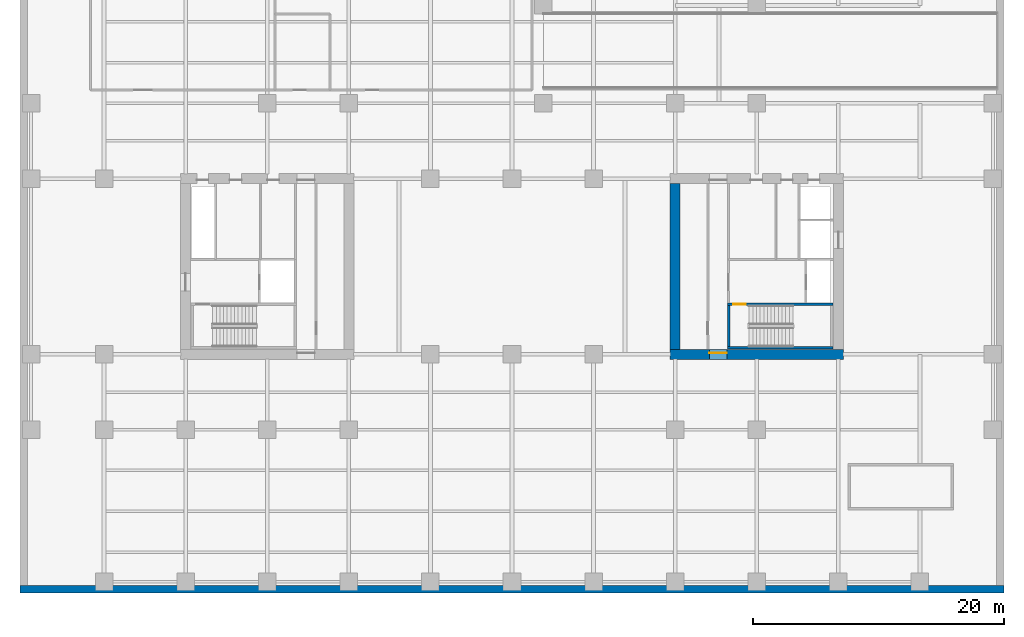
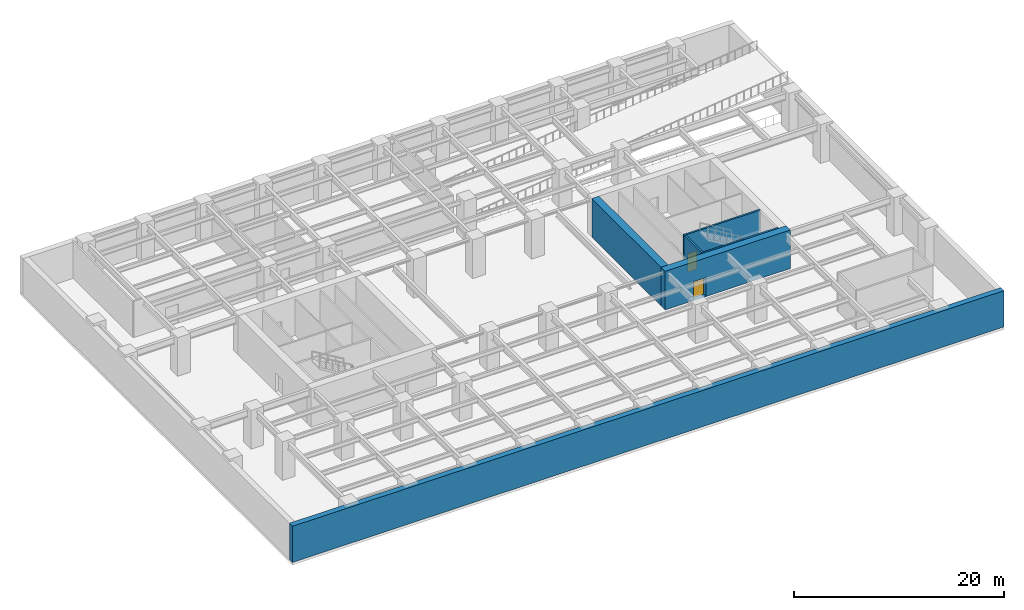
# One storey, part 5 of 10: 6 walls, 2 doors, 2 openings.
"""IFC4 building model written with IfcOpenShell, lengths in metres."""

from ifc_helpers import new_model, si_unit, direction, frame, frame_2d, origin, place, context, subcontext, project, spatial, rectangle, extrude, material, layer, layer_set, type_object, element, fill, save


model = new_model("IFC4")

# Units and contexts
model_context = context("Model", 3, precision=1e-05, world=origin(), true_north=direction((0.0, 1.0)))
body_context = subcontext(model_context, "Body", "Model", "MODEL_VIEW")
ifc_project = project(units=[si_unit("LENGTHUNIT", "METRE"), si_unit("AREAUNIT", "SQUARE_METRE"), si_unit("VOLUMEUNIT", "CUBIC_METRE"), si_unit("PLANEANGLEUNIT", "RADIAN"), si_unit("MASSUNIT", "GRAM", prefix="KILO")], contexts=[model_context])

# Site, building, storey
site_placement = place(None, origin())
site = spatial("IfcSite", under=ifc_project, at=site_placement, CompositionType="ELEMENT")
building_placement = place(site_placement, origin())
building = spatial("IfcBuilding", under=site, at=building_placement, Name="Putna Gate Headquarters", CompositionType="ELEMENT")
storey_placement = place(building_placement, frame((0.0, 0.0, -4.5)))
storey = spatial("IfcBuildingStorey", under=building, at=storey_placement, Name="B01", CompositionType="ELEMENT", Elevation=-4.5)

# Wall, opening, door
ifc_material_1 = material(Name="Concrete C60/75", Category="concrete")
ifc_layer_1 = layer(ifc_material_1, 0.800048828125)
ifc_layer_set_1 = layer_set([ifc_layer_1], Name="Concrete C60/75")
wall_type_1 = type_object("IfcWallType", Name="WALL-CORE-800", PredefinedType="SHEAR", material=ifc_layer_set_1)
wall_1_placement = place(storey_placement, frame((51.60009765625, 19.0, 0.0), z_axis=(0.0, 0.0, 1.0), x_axis=(1.0, 0.0, 0.0)))
wall_1 = element("IfcWall", 1, at=wall_1_placement, inside=storey, type_object=wall_type_1, Name="B01 EC Split Core Shear Wall S", PredefinedType="SHEAR", context=body_context, shape_type="SweptSolid", body=[
    extrude(rectangle(XDim=13.7998046875, YDim=0.800048828125, at=frame_2d((6.89990234375, 0.0))), origin(), (0.0, 0.0, 1.0), 4.5),
])
opening_1_placement = place(wall_1_placement, frame((3.1201171875, 0.0, 0.0)))
opening_1 = element("IfcOpeningElement", 2, at=opening_1_placement, cuts=wall_1, Name="Opening FDD-140", PredefinedType="OPENING", context=body_context, shape_type="SweptSolid", body=[
    extrude(rectangle(XDim=1.39990234375, YDim=2.199951171875, at=frame_2d((0.699951171875, 1.10009765625))), frame((0.0, 0.409912109375, 0.0), z_axis=(0.0, -1.0, 0.0), x_axis=(1.0, 0.0, 0.0)), (0.0, 0.0, 1.0), 0.820068359375),
])
ifc_material_2 = material(Name="Double steel fire door", Category="steel")
door_type_1 = type_object("IfcDoorType", Name="DOOR-FIRE-DBL-1400", OperationType="DOUBLE_DOOR_SINGLE_SWING", PredefinedType="DOOR", material=ifc_material_2)
door_1_placement = place(opening_1_placement, origin())
door_1 = element("IfcDoor", 3, at=door_1_placement, inside=storey, type_object=door_type_1, Name="B01 East Lift Lobby South Door", OperationType="DOUBLE_DOOR_SINGLE_SWING", OverallHeight=2.199951171875, OverallWidth=1.39990234375, PredefinedType="DOOR", context=body_context, shape_type="SweptSolid", body=[
    extrude(rectangle(XDim=1.39990234375, YDim=2.199951171875, at=frame_2d((0.699951171875, 1.10009765625))), frame((0.0, 0.125, 0.0), z_axis=(0.0, -1.0, 0.0), x_axis=(1.0, 0.0, 0.0)), (0.0, 0.0, 1.0), 0.050048828125),
])
fill(opening_1, door_1)

# Walls
wall_2_placement = place(storey_placement, frame((52.0, 19.39990234375, 0.0), z_axis=(0.0, 0.0, 1.0), x_axis=(0.0, 1.0, 0.0)))
element("IfcWall", 4, at=wall_2_placement, inside=storey, type_object=wall_type_1, Name="B01 EC Split Core Shear Wall W", PredefinedType="SHEAR", context=body_context, shape_type="SweptSolid", body=[
    extrude(rectangle(XDim=13.2001953125, YDim=0.800048828125, at=frame_2d((6.60009765625, 0.0))), origin(), (0.0, 0.0, 1.0), 4.5),
])
ifc_material_3 = material(Name="Concrete C40/50", Category="concrete")
ifc_layer_2 = layer(ifc_material_3, 0.60009765625)
ifc_layer_set_2 = layer_set([ifc_layer_2], Name="Concrete C40/50")
wall_type_2 = type_object("IfcWallType", Name="WALL-RET-600", PredefinedType="USERDEFINED", material=ifc_layer_set_2)
wall_3_placement = place(storey_placement, frame((-0.199951171875, 0.300048828125, 0.0), z_axis=(0.0, 0.0, 1.0), x_axis=(1.0, 0.0, 0.0)))
element("IfcWall", 5, at=wall_3_placement, inside=storey, type_object=wall_type_2, Name="B01 Basement Retaining Wall S", ObjectType="RETAININGWALL", PredefinedType="USERDEFINED", context=body_context, shape_type="SweptSolid", body=[
    extrude(rectangle(XDim=78.39990234375, YDim=0.60009765625, at=frame_2d((39.199951171875, 0.0))), origin(), (0.0, 0.0, 1.0), 4.219970703125),
])
ifc_layer_3 = layer(ifc_material_3, 0.199951171875)
ifc_layer_set_3 = layer_set([ifc_layer_3], Name="Concrete C40/50")
wall_type_3 = type_object("IfcWallType", Name="WALL-SHAFT-RC200", PredefinedType="SHEAR", material=ifc_layer_set_3)
wall_4_placement = place(storey_placement, frame((56.159912109375, 19.510009765625, 0.0), z_axis=(0.0, 0.0, 1.0), x_axis=(1.0, 0.0, 0.0)))
element("IfcWall", 6, at=wall_4_placement, inside=storey, type_object=wall_type_3, Name="B01 Stair ST2 Structural Shaft Wall S", PredefinedType="SHEAR", context=body_context, shape_type="SweptSolid", body=[
    extrude(rectangle(XDim=8.43017578125, YDim=0.199951171875, at=frame_2d((4.215087890625, 0.0))), origin(), (0.0, 0.0, 1.0), 4.5),
])

# Wall, opening, door
wall_5_placement = place(storey_placement, frame((56.159912109375, 22.989990234375, 0.0), z_axis=(0.0, 0.0, 1.0), x_axis=(1.0, 0.0, 0.0)))
wall_5 = element("IfcWall", 7, at=wall_5_placement, inside=storey, type_object=wall_type_3, Name="B01 Stair ST2 Structural Shaft Wall N", PredefinedType="SHEAR", context=body_context, shape_type="SweptSolid", body=[
    extrude(rectangle(XDim=8.43017578125, YDim=0.199951171875, at=frame_2d((4.215087890625, 0.0))), origin(), (0.0, 0.0, 1.0), 4.5),
])
opening_2_placement = place(wall_5_placement, frame((0.449951171875, 0.0, 0.0)))
opening_2 = element("IfcOpeningElement", 8, at=opening_2_placement, cuts=wall_5, Name="Opening FD-100", PredefinedType="OPENING", context=body_context, shape_type="SweptSolid", body=[
    extrude(rectangle(XDim=1.0, YDim=2.14990234375, at=frame_2d((0.5, 1.074951171875))), frame((0.0, 0.10986328125, 0.0), z_axis=(0.0, -1.0, 0.0), x_axis=(1.0, 0.0, 0.0)), (0.0, 0.0, 1.0), 0.219970703125),
])
ifc_material_4 = material(Name="Powder-coated steel fire door", Category="steel")
door_type_2 = type_object("IfcDoorType", Name="DOOR-FIRE-1000", OperationType="NOTDEFINED", PredefinedType="DOOR", material=ifc_material_4)
door_2_placement = place(opening_2_placement, origin())
door_2 = element("IfcDoor", 9, at=door_2_placement, inside=storey, type_object=door_type_2, Name="B01 Stair ST2 Fire Door", OperationType="SINGLE_SWING_RIGHT", OverallHeight=2.14990234375, OverallWidth=1.0, PredefinedType="DOOR", context=body_context, shape_type="SweptSolid", body=[
    extrude(rectangle(XDim=1.0, YDim=2.14990234375, at=frame_2d((0.5, 1.074951171875))), frame((0.0, 0.02490234375, 0.0), z_axis=(0.0, -1.0, 0.0), x_axis=(1.0, 0.0, 0.0)), (0.0, 0.0, 1.0), 0.050048828125),
])
fill(opening_2, door_2)

# Wall
wall_6_placement = place(storey_placement, frame((56.260009765625, 19.610107421875, 0.0), z_axis=(0.0, 0.0, 1.0), x_axis=(0.0, 1.0, 0.0)))
element("IfcWall", 10, at=wall_6_placement, inside=storey, type_object=wall_type_3, Name="B01 Stair ST2 Structural Shaft Wall W", PredefinedType="SHEAR", context=body_context, shape_type="SweptSolid", body=[
    extrude(rectangle(XDim=3.27978515625, YDim=0.199951171875, at=frame_2d((1.639892578125, 0.0))), origin(), (0.0, 0.0, 1.0), 4.5),
])

save(model, "model.ifc")
